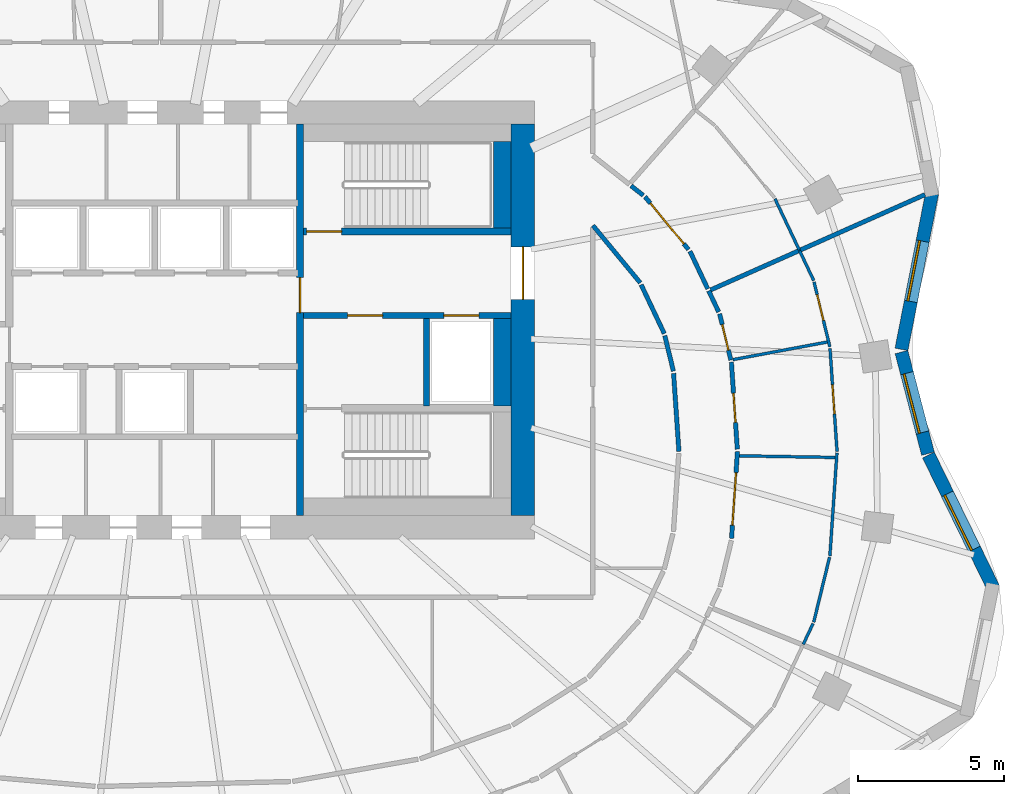
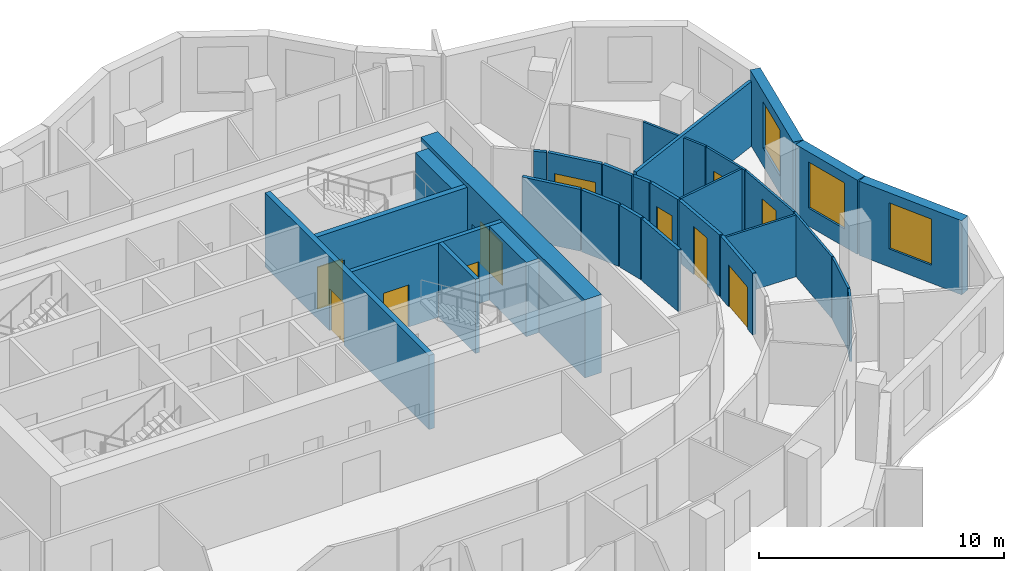
# One storey, part 7 of 11: 31 walls, 11 doors, 3 windows, 14 openings.
"""IFC4 building model written with IfcOpenShell, lengths in metres."""

from ifc_helpers import new_model, si_unit, direction, frame, frame_2d, origin, place, context, subcontext, project, spatial, rectangle, extrude, material, layer, layer_set, type_object, element, fill, save


model = new_model("IFC4")

# Units and contexts
model_context = context("Model", 3, precision=1e-05, world=origin(), true_north=direction((0.0, 1.0)))
body_context = subcontext(model_context, "Body", "Model", "MODEL_VIEW")
ifc_project = project(units=[si_unit("LENGTHUNIT", "METRE"), si_unit("AREAUNIT", "SQUARE_METRE"), si_unit("VOLUMEUNIT", "CUBIC_METRE"), si_unit("PLANEANGLEUNIT", "RADIAN"), si_unit("MASSUNIT", "GRAM", prefix="KILO")], contexts=[model_context])

# Site, building, storey
site_placement = place(None, origin())
site = spatial("IfcSite", under=ifc_project, at=site_placement, CompositionType="ELEMENT")
building_placement = place(site_placement, origin())
building = spatial("IfcBuilding", under=site, at=building_placement, Name="Rubra Terraces Tower", CompositionType="ELEMENT")
storey_placement = place(building_placement, frame((0.0, 0.0, 177.89990234375)))
storey = spatial("IfcBuildingStorey", under=building, at=storey_placement, Name="L43", CompositionType="ELEMENT", Elevation=177.89990234375)

# Wall, opening, window
ifc_material_1 = material(Name="Brick masonry red-brown", Category="masonry")
ifc_layer_1 = layer(ifc_material_1, 0.449951171875)
ifc_layer_set_1 = layer_set([ifc_layer_1], Name="Brick masonry red-brown")
wall_type_1 = type_object("IfcWallType", Name="Brick facade wall 450", PredefinedType="SOLIDWALL", material=ifc_layer_set_1)
wall_1_placement = place(storey_placement, frame((26.469482421875, -0.0791015625, 0.0), z_axis=(0.0, 0.0, 1.0), x_axis=(-0.252446779859, 0.967610780913, 0.0)))
wall_1 = element("IfcWall", 1, at=wall_1_placement, inside=storey, type_object=wall_type_1, Name="Facade wall L43 bay 1", PredefinedType="SOLIDWALL", context=body_context, shape_type="SweptSolid", body=[
    extrude(rectangle(XDim=3.5947265625, YDim=0.449951171875, at=frame_2d((1.79736328125, 0.0))), origin(), (0.0, 0.0, 1.0), 3.7001953125),
])
opening_1_placement = place(wall_1_placement, frame((0.747314453125, 0.0, 0.89990234375)))
opening_1 = element("IfcOpeningElement", 2, at=opening_1_placement, cuts=wall_1, Name="Opening W1B", PredefinedType="OPENING", context=body_context, shape_type="SweptSolid", body=[
    extrude(rectangle(XDim=2.10009765625, YDim=2.300048828125, at=frame_2d((1.050048828125, 1.14990234375))), frame((0.0, 0.23486328125, 0.0), z_axis=(0.0, -1.0, 0.0), x_axis=(1.0, 0.0, 0.0)), (0.0, 0.0, 1.0), 0.469970703125),
])
ifc_material_2 = material(Name="Clear glass in aluminium frame", Category="aluminium")
window_type = type_object("IfcWindowType", Name="Fixed deep-set window tall storey 2100 x 2300", PartitioningType="SINGLE_PANEL", PredefinedType="WINDOW", material=ifc_material_2)
window_1_placement = place(opening_1_placement, origin())
window_1 = element("IfcWindow", 3, at=window_1_placement, inside=storey, type_object=window_type, Name="Window L43 bay 1", OverallHeight=2.300048828125, OverallWidth=2.10009765625, PartitioningType="SINGLE_PANEL", PredefinedType="WINDOW", context=body_context, shape_type="SweptSolid", body=[
    extrude(rectangle(XDim=2.10009765625, YDim=2.300048828125, at=frame_2d((1.050048828125, 1.14990234375))), frame((0.0, 0.135009765625, 0.0), z_axis=(0.0, -1.0, 0.0), x_axis=(1.0, 0.0, 0.0)), (0.0, 0.0, 1.0), 0.06005859375),
])
fill(opening_1, window_1)

wall_2_placement = place(storey_placement, frame((25.561279296875, 3.490478515625, 0.0), z_axis=(0.0, 0.0, 1.0), x_axis=(0.192494026297, 0.981298145234, 0.0)))
wall_2 = element("IfcWall", 4, at=wall_2_placement, inside=storey, type_object=wall_type_1, Name="Facade wall L43 bay 2", PredefinedType="SOLIDWALL", context=body_context, shape_type="SweptSolid", body=[
    extrude(rectangle(XDim=5.446044921875, YDim=0.449951171875, at=frame_2d((2.72314453125, 0.0))), origin(), (0.0, 0.0, 1.0), 3.7001953125),
])
opening_2_placement = place(wall_2_placement, frame((1.673095703125, 0.0, 0.89990234375)))
opening_2 = element("IfcOpeningElement", 5, at=opening_2_placement, cuts=wall_2, Name="Opening W1B", PredefinedType="OPENING", context=body_context, shape_type="SweptSolid", body=[
    extrude(rectangle(XDim=2.10009765625, YDim=2.300048828125, at=frame_2d((1.050048828125, 1.14990234375))), frame((0.0, 0.23486328125, 0.0), z_axis=(0.0, -1.0, 0.0), x_axis=(1.0, 0.0, 0.0)), (0.0, 0.0, 1.0), 0.469970703125),
])
window_2_placement = place(opening_2_placement, origin())
window_2 = element("IfcWindow", 6, at=window_2_placement, inside=storey, type_object=window_type, Name="Window L43 bay 2", OverallHeight=2.300048828125, OverallWidth=2.10009765625, PartitioningType="SINGLE_PANEL", PredefinedType="WINDOW", context=body_context, shape_type="SweptSolid", body=[
    extrude(rectangle(XDim=2.10009765625, YDim=2.300048828125, at=frame_2d((1.050048828125, 1.14990234375))), frame((0.0, 0.135009765625, 0.0), z_axis=(0.0, -1.0, 0.0), x_axis=(1.0, 0.0, 0.0)), (0.0, 0.0, 1.0), 0.06005859375),
])
fill(opening_2, window_2)

wall_3_placement = place(storey_placement, frame((28.70703125, -4.672119140625, 0.0), z_axis=(0.0, 0.0, 1.0), x_axis=(-0.439053549989, 0.898460895221, 0.0)))
wall_3 = element("IfcWall", 7, at=wall_3_placement, inside=storey, type_object=wall_type_1, Name="Facade wall L43 bay 40", PredefinedType="SOLIDWALL", context=body_context, shape_type="SweptSolid", body=[
    extrude(rectangle(XDim=5.061767578125, YDim=0.449951171875, at=frame_2d((2.53076171875, 0.0))), origin(), (0.0, 0.0, 1.0), 3.7001953125),
])
opening_3_placement = place(wall_3_placement, frame((1.48095703125, 0.0, 0.89990234375)))
opening_3 = element("IfcOpeningElement", 8, at=opening_3_placement, cuts=wall_3, Name="Opening W1B", PredefinedType="OPENING", context=body_context, shape_type="SweptSolid", body=[
    extrude(rectangle(XDim=2.10009765625, YDim=2.300048828125, at=frame_2d((1.050048828125, 1.14990234375))), frame((0.0, 0.23486328125, 0.0), z_axis=(0.0, -1.0, 0.0), x_axis=(1.0, 0.0, 0.0)), (0.0, 0.0, 1.0), 0.469970703125),
])
window_3_placement = place(opening_3_placement, origin())
window_3 = element("IfcWindow", 9, at=window_3_placement, inside=storey, type_object=window_type, Name="Window L43 bay 40", OverallHeight=2.300048828125, OverallWidth=2.10009765625, PartitioningType="SINGLE_PANEL", PredefinedType="WINDOW", context=body_context, shape_type="SweptSolid", body=[
    extrude(rectangle(XDim=2.10009765625, YDim=2.300048828125, at=frame_2d((1.050048828125, 1.14990234375))), frame((0.0, 0.135009765625, 0.0), z_axis=(0.0, -1.0, 0.0), x_axis=(1.0, 0.0, 0.0)), (0.0, 0.0, 1.0), 0.06005859375),
])
fill(opening_3, window_3)

# Wall, opening, door
ifc_material_3 = material(Name="Concrete C50", Category="concrete")
ifc_layer_2 = layer(ifc_material_3, 0.800048828125)
ifc_layer_set_2 = layer_set([ifc_layer_2], Name="Concrete C50")
wall_type_2 = type_object("IfcWallType", Name="CORE WALL 800 C50", PredefinedType="SHEAR", material=ifc_layer_set_2)
wall_4_placement = place(storey_placement, frame((12.60009765625, -2.199951171875, 0.0), z_axis=(0.0, 0.0, 1.0), x_axis=(0.0, 1.0, 0.0)))
wall_4 = element("IfcWall", 10, at=wall_4_placement, inside=storey, type_object=wall_type_2, Name="CORE WALL E L43", PredefinedType="SHEAR", context=body_context, shape_type="SweptSolid", body=[
    extrude(rectangle(XDim=13.39990234375, YDim=0.800048828125, at=frame_2d((6.699951171875, 0.0))), origin(), (0.0, 0.0, 1.0), 3.900146484375),
])
opening_4_placement = place(wall_4_placement, frame((7.39990234375, 0.0, 0.0)))
opening_4 = element("IfcOpeningElement", 11, at=opening_4_placement, cuts=wall_4, Name="Opening L43.C02", PredefinedType="OPENING", context=body_context, shape_type="SweptSolid", body=[
    extrude(rectangle(XDim=1.800048828125, YDim=2.10009765625, at=frame_2d((0.89990234375, 1.050048828125))), frame((0.0, 0.409912109375, 0.0), z_axis=(0.0, -1.0, 0.0), x_axis=(1.0, 0.0, 0.0)), (0.0, 0.0, 1.0), 0.820068359375),
])
ifc_material_4 = material(Name="Painted steel", Category="steel")
door_type_1 = type_object("IfcDoorType", Name="Fire door 1800x2100 double", OperationType="NOTDEFINED", PredefinedType="DOOR", material=ifc_material_4)
door_1_placement = place(opening_4_placement, origin())
door_1 = element("IfcDoor", 12, at=door_1_placement, inside=storey, type_object=door_type_1, Name="Core entrance door FF2", OperationType="DOUBLE_DOOR_SINGLE_SWING", OverallHeight=2.10009765625, OverallWidth=1.800048828125, PredefinedType="DOOR", context=body_context, shape_type="SweptSolid", body=[
    extrude(rectangle(XDim=1.800048828125, YDim=2.10009765625, at=frame_2d((0.89990234375, 1.050048828125))), frame((0.0, 0.02490234375, 0.0), z_axis=(0.0, -1.0, 0.0), x_axis=(1.0, 0.0, 0.0)), (0.0, 0.0, 1.0), 0.050048828125),
])
fill(opening_4, door_1)

ifc_material_5 = material(Name="Plasterboard on steel stud, mineral wool infill", Category="steel")
ifc_layer_3 = layer(ifc_material_5, 0.14990234375)
ifc_layer_set_3 = layer_set([ifc_layer_3], Name="Plasterboard on steel stud, mineral wool infill")
wall_type_3 = type_object("IfcWallType", Name="CORRIDOR PARTITION 150", PredefinedType="PARTITIONING", material=ifc_layer_set_3)
wall_5_placement = place(storey_placement, frame((19.745361328125, -2.9775390625, 0.0), z_axis=(0.0, 0.0, 1.0), x_axis=(0.068142324, 0.997675610447, 0.0)))
wall_5 = element("IfcWall", 13, at=wall_5_placement, inside=storey, type_object=wall_type_3, Name="PARTITION", PredefinedType="PARTITIONING", context=body_context, shape_type="SweptSolid", body=[
    extrude(rectangle(XDim=2.984375, YDim=0.14990234375, at=frame_2d((1.4921875, 0.0))), origin(), (0.0, 0.0, 1.0), 3.083984375),
])
opening_5_placement = place(wall_5_placement, frame((0.449951171875, 0.0, 0.0)))
opening_5 = element("IfcOpeningElement", 14, at=opening_5_placement, cuts=wall_5, Name="Opening 43-122", PredefinedType="OPENING", context=body_context, shape_type="SweptSolid", body=[
    extrude(rectangle(XDim=1.800048828125, YDim=2.10009765625, at=frame_2d((0.89990234375, 1.050048828125))), frame((0.0, 0.0849609375, 0.0), z_axis=(0.0, -1.0, 0.0), x_axis=(1.0, 0.0, 0.0)), (0.0, 0.0, 1.0), 0.169921875),
])
ifc_material_6 = material(Name="Painted timber door leaf, double", Category="wood")
door_type_2 = type_object("IfcDoorType", Name="ROOM DOUBLE DOOR 1800 X 2100", OperationType="DOUBLE_DOOR_SINGLE_SWING", PredefinedType="DOOR", material=ifc_material_6)
door_2_placement = place(opening_5_placement, origin())
door_2 = element("IfcDoor", 15, at=door_2_placement, inside=storey, type_object=door_type_2, Name="DOOR 43-122", OperationType="DOUBLE_DOOR_SINGLE_SWING", OverallHeight=2.10009765625, OverallWidth=1.800048828125, PredefinedType="DOOR", context=body_context, shape_type="SweptSolid", body=[
    extrude(rectangle(XDim=1.800048828125, YDim=2.10009765625, at=frame_2d((0.89990234375, 1.050048828125))), frame((0.0, 0.02490234375, 0.0), z_axis=(0.0, -1.0, 0.0), x_axis=(1.0, 0.0, 0.0)), (0.0, 0.0, 1.0), 0.050048828125),
])
fill(opening_5, door_2)

wall_6_placement = place(storey_placement, frame((19.943603515625, 0.07470703125, 0.0), z_axis=(0.0, 0.0, 1.0), x_axis=(-0.068136763128, 0.997675990245, 0.0)))
wall_6 = element("IfcWall", 16, at=wall_6_placement, inside=storey, type_object=wall_type_3, Name="PARTITION", PredefinedType="PARTITIONING", context=body_context, shape_type="SweptSolid", body=[
    extrude(rectangle(XDim=2.984619140625, YDim=0.14990234375, at=frame_2d((1.4921875, 0.0))), origin(), (0.0, 0.0, 1.0), 3.083984375),
])
opening_6_placement = place(wall_6_placement, frame((0.9169921875, 0.0, 0.0)))
opening_6 = element("IfcOpeningElement", 17, at=opening_6_placement, cuts=wall_6, Name="Opening 43-123", PredefinedType="OPENING", context=body_context, shape_type="SweptSolid", body=[
    extrude(rectangle(XDim=1.0, YDim=2.39990234375, at=frame_2d((0.5, 1.199951171875))), frame((0.0, 0.0849609375, 0.0), z_axis=(0.0, -1.0, 0.0), x_axis=(1.0, 0.0, 0.0)), (0.0, 0.0, 1.0), 0.169921875),
])
ifc_material_7 = material(Name="Glazed aluminium meeting door leaf", Category="aluminium")
door_type_3 = type_object("IfcDoorType", Name="MEETING ROOM GLAZED DOOR 1000 X 2400", OperationType="SINGLE_SWING_LEFT", PredefinedType="DOOR", material=ifc_material_7)
door_3_placement = place(opening_6_placement, origin())
door_3 = element("IfcDoor", 18, at=door_3_placement, inside=storey, type_object=door_type_3, Name="DOOR 43-123", OperationType="SINGLE_SWING_RIGHT", OverallHeight=2.39990234375, OverallWidth=1.0, PredefinedType="DOOR", context=body_context, shape_type="SweptSolid", body=[
    extrude(rectangle(XDim=1.0, YDim=2.39990234375, at=frame_2d((0.5, 1.199951171875))), frame((0.0, 0.02490234375, 0.0), z_axis=(0.0, -1.0, 0.0), x_axis=(1.0, 0.0, 0.0)), (0.0, 0.0, 1.0), 0.050048828125),
])
fill(opening_6, door_3)

wall_7_placement = place(storey_placement, frame((19.722412109375, 3.125244140625, 0.0), z_axis=(0.0, 0.0, 1.0), x_axis=(-0.236703930685, 0.971581828359, 0.0)))
wall_7 = element("IfcWall", 19, at=wall_7_placement, inside=storey, type_object=wall_type_3, Name="PARTITION", PredefinedType="PARTITIONING", context=body_context, shape_type="SweptSolid", body=[
    extrude(rectangle(XDim=1.62646484375, YDim=0.14990234375, at=frame_2d((0.813232421875, 0.0))), origin(), (0.0, 0.0, 1.0), 3.083984375),
])
opening_7_placement = place(wall_7_placement, frame((0.35009765625, 0.0, 0.0)))
opening_7 = element("IfcOpeningElement", 20, at=opening_7_placement, cuts=wall_7, Name="Opening 43-143", PredefinedType="OPENING", context=body_context, shape_type="SweptSolid", body=[
    extrude(rectangle(XDim=0.89990234375, YDim=2.10009765625, at=frame_2d((0.449951171875, 1.050048828125))), frame((0.0, 0.0849609375, 0.0), z_axis=(0.0, -1.0, 0.0), x_axis=(1.0, 0.0, 0.0)), (0.0, 0.0, 1.0), 0.169921875),
])
ifc_material_8 = material(Name="Painted timber door leaf", Category="wood")
door_type_4 = type_object("IfcDoorType", Name="BATHROOM DOOR 900 X 2100", OperationType="SINGLE_SWING_LEFT", PredefinedType="DOOR", material=ifc_material_8)
door_4_placement = place(opening_7_placement, origin())
door_4 = element("IfcDoor", 21, at=door_4_placement, inside=storey, type_object=door_type_4, Name="DOOR 43-143", OperationType="SINGLE_SWING_RIGHT", OverallHeight=2.10009765625, OverallWidth=0.89990234375, PredefinedType="DOOR", context=body_context, shape_type="SweptSolid", body=[
    extrude(rectangle(XDim=0.89990234375, YDim=2.10009765625, at=frame_2d((0.449951171875, 1.050048828125))), frame((0.0, 0.02490234375, 0.0), z_axis=(0.0, -1.0, 0.0), x_axis=(1.0, 0.0, 0.0)), (0.0, 0.0, 1.0), 0.050048828125),
])
fill(opening_7, door_4)

# Walls
wall_8_placement = place(storey_placement, frame((19.305419921875, 4.7734375, 0.0), z_axis=(0.0, 0.0, 1.0), x_axis=(-0.428296443676, 0.90363828844, 0.0)))
element("IfcWall", 22, at=wall_8_placement, inside=storey, type_object=wall_type_3, Name="PARTITION", PredefinedType="PARTITIONING", context=body_context, shape_type="SweptSolid", body=[
    extrude(rectangle(XDim=0.799072265625, YDim=0.14990234375, at=frame_2d((0.3994140625, 0.0))), origin(), (0.0, 0.0, 1.0), 3.083984375),
])
wall_9_placement = place(storey_placement, frame((18.93115234375, 5.5634765625, 0.0), z_axis=(0.0, 0.0, 1.0), x_axis=(-0.428204145682, 0.903682029046, 0.0)))
element("IfcWall", 23, at=wall_9_placement, inside=storey, type_object=wall_type_3, Name="PARTITION", PredefinedType="PARTITIONING", context=body_context, shape_type="SweptSolid", body=[
    extrude(rectangle(XDim=1.42529296875, YDim=0.14990234375, at=frame_2d((0.712646484375, 0.0))), origin(), (0.0, 0.0, 1.0), 3.083984375),
])

# Wall, opening, door
wall_10_placement = place(storey_placement, frame((18.273193359375, 6.9091796875, 0.0), z_axis=(0.0, 0.0, 1.0), x_axis=(-0.63653648943, 0.771246586783, 0.0)))
wall_10 = element("IfcWall", 24, at=wall_10_placement, inside=storey, type_object=wall_type_3, Name="PARTITION", PredefinedType="PARTITIONING", context=body_context, shape_type="SweptSolid", body=[
    extrude(rectangle(XDim=2.341552734375, YDim=0.14990234375, at=frame_2d((1.1708984375, 0.0))), origin(), (0.0, 0.0, 1.0), 3.083984375),
])
opening_8_placement = place(wall_10_placement, frame((0.25, 0.0, 0.0)))
opening_8 = element("IfcOpeningElement", 25, at=opening_8_placement, cuts=wall_10, Name="Opening 43-125", PredefinedType="OPENING", context=body_context, shape_type="SweptSolid", body=[
    extrude(rectangle(XDim=1.800048828125, YDim=2.10009765625, at=frame_2d((0.89990234375, 1.050048828125))), frame((0.0, 0.0849609375, 0.0), z_axis=(0.0, -1.0, 0.0), x_axis=(1.0, 0.0, 0.0)), (0.0, 0.0, 1.0), 0.169921875),
])
door_5_placement = place(opening_8_placement, origin())
door_5 = element("IfcDoor", 26, at=door_5_placement, inside=storey, type_object=door_type_2, Name="DOOR 43-125", OperationType="DOUBLE_DOOR_SINGLE_SWING", OverallHeight=2.10009765625, OverallWidth=1.800048828125, PredefinedType="DOOR", context=body_context, shape_type="SweptSolid", body=[
    extrude(rectangle(XDim=1.800048828125, YDim=2.10009765625, at=frame_2d((0.89990234375, 1.050048828125))), frame((0.0, 0.02490234375, 0.0), z_axis=(0.0, -1.0, 0.0), x_axis=(1.0, 0.0, 0.0)), (0.0, 0.0, 1.0), 0.050048828125),
])
fill(opening_8, door_5)

# Walls
wall_11_placement = place(storey_placement, frame((16.723876953125, 8.761474609375, 0.0), z_axis=(0.0, 0.0, 1.0), x_axis=(-0.785093642841, 0.619377083827, 0.0)))
element("IfcWall", 27, at=wall_11_placement, inside=storey, type_object=wall_type_3, Name="PARTITION", PredefinedType="PARTITIONING", context=body_context, shape_type="SweptSolid", body=[
    extrude(rectangle(XDim=0.533203125, YDim=0.14990234375, at=frame_2d((0.2666015625, 0.0))), origin(), (0.0, 0.0, 1.0), 3.083984375),
])
wall_12_placement = place(storey_placement, frame((15.0, 7.73291015625, 0.0), z_axis=(0.0, 0.0, 1.0), x_axis=(0.636601263488, -0.771193121938, 0.0)))
element("IfcWall", 28, at=wall_12_placement, inside=storey, type_object=wall_type_3, Name="PARTITION", PredefinedType="PARTITIONING", context=body_context, shape_type="SweptSolid", body=[
    extrude(rectangle(XDim=2.544921875, YDim=0.14990234375, at=frame_2d((1.2724609375, 0.0))), origin(), (0.0, 0.0, 1.0), 3.083984375),
])
wall_13_placement = place(storey_placement, frame((16.652099609375, 5.702392578125, 0.0), z_axis=(0.0, 0.0, 1.0), x_axis=(0.428126129773, -0.903718992279, 0.0)))
element("IfcWall", 29, at=wall_13_placement, inside=storey, type_object=wall_type_3, Name="PARTITION", PredefinedType="PARTITIONING", context=body_context, shape_type="SweptSolid", body=[
    extrude(rectangle(XDim=1.846435546875, YDim=0.14990234375, at=frame_2d((0.92333984375, 0.0))), origin(), (0.0, 0.0, 1.0), 3.083984375),
])
wall_14_placement = place(storey_placement, frame((17.46044921875, 3.9609375, 0.0), z_axis=(0.0, 0.0, 1.0), x_axis=(0.236655249498, -0.971593687137, 0.0)))
element("IfcWall", 30, at=wall_14_placement, inside=storey, type_object=wall_type_3, Name="PARTITION", PredefinedType="PARTITIONING", context=body_context, shape_type="SweptSolid", body=[
    extrude(rectangle(XDim=1.25146484375, YDim=0.14990234375, at=frame_2d((0.625732421875, 0.0))), origin(), (0.0, 0.0, 1.0), 3.083984375),
])
wall_15_placement = place(storey_placement, frame((17.76171875, 2.67041015625, 0.0), z_axis=(0.0, 0.0, 1.0), x_axis=(0.068135311644, -0.997676089373, 0.0)))
element("IfcWall", 31, at=wall_15_placement, inside=storey, type_object=wall_type_3, Name="PARTITION", PredefinedType="PARTITIONING", context=body_context, shape_type="SweptSolid", body=[
    extrude(rectangle(XDim=2.676513671875, YDim=0.14990234375, at=frame_2d((1.33837890625, 0.0))), origin(), (0.0, 0.0, 1.0), 3.083984375),
])
ifc_material_9 = material(Name="Concrete C40", Category="concrete")
ifc_layer_4 = layer(ifc_material_9, 0.60009765625)
ifc_layer_set_4 = layer_set([ifc_layer_4], Name="Concrete C40")
wall_type_4 = type_object("IfcWallType", Name="Core lining wall 600 concrete", PredefinedType="SOLIDWALL", material=ifc_layer_set_4)
wall_16_placement = place(storey_placement, frame((11.89990234375, 10.60009765625, 0.0), z_axis=(0.0, 0.0, 1.0), x_axis=(0.0, -1.0, 0.0)))
element("IfcWall", 32, at=wall_16_placement, inside=storey, type_object=wall_type_4, Name="CORE LINING WALL L43", PredefinedType="SOLIDWALL", context=body_context, shape_type="SweptSolid", body=[
    extrude(rectangle(XDim=2.9501953125, YDim=0.60009765625, at=frame_2d((1.47509765625, 0.0))), origin(), (0.0, 0.0, 1.0), 3.7001953125),
])
wall_17_placement = place(storey_placement, frame((11.89990234375, 4.550048828125, 0.0), z_axis=(0.0, 0.0, 1.0), x_axis=(0.0, -1.0, 0.0)))
element("IfcWall", 33, at=wall_17_placement, inside=storey, type_object=wall_type_4, Name="CORE LINING WALL L43", PredefinedType="SOLIDWALL", context=body_context, shape_type="SweptSolid", body=[
    extrude(rectangle(XDim=3.0, YDim=0.60009765625, at=frame_2d((1.5, 0.0))), origin(), (0.0, 0.0, 1.0), 3.7001953125),
])

# Wall, openings, doors
ifc_material_10 = material(Name="Concrete C30", Category="concrete")
ifc_layer_5 = layer(ifc_material_10, 0.199951171875)
ifc_layer_set_5 = layer_set([ifc_layer_5], Name="Concrete C30")
wall_type_5 = type_object("IfcWallType", Name="Core wall 200 concrete", PredefinedType="SOLIDWALL", material=ifc_layer_set_5)
wall_18_placement = place(storey_placement, frame((12.199951171875, 4.64990234375, 0.0), z_axis=(0.0, 0.0, 1.0), x_axis=(-1.0, 0.0, 0.0)))
wall_18 = element("IfcWall", 34, at=wall_18_placement, inside=storey, type_object=wall_type_5, Name="STAIR WALL L43", PredefinedType="SOLIDWALL", context=body_context, shape_type="SweptSolid", body=[
    extrude(rectangle(XDim=7.099853515625, YDim=0.199951171875, at=frame_2d((3.5498046875, 0.0))), origin(), (0.0, 0.0, 1.0), 3.7001953125),
])
opening_9_placement = place(wall_18_placement, frame((4.39990234375, 0.0, 0.0)))
opening_9 = element("IfcOpeningElement", 35, at=opening_9_placement, cuts=wall_18, Name="Opening L43.C06", PredefinedType="OPENING", context=body_context, shape_type="SweptSolid", body=[
    extrude(rectangle(XDim=1.199951171875, YDim=2.10009765625, at=frame_2d((0.60009765625, 1.050048828125))), frame((0.0, 0.10986328125, 0.0), z_axis=(0.0, -1.0, 0.0), x_axis=(1.0, 0.0, 0.0)), (0.0, 0.0, 1.0), 0.219970703125),
])
opening_10_placement = place(wall_18_placement, frame((1.10009765625, 0.0, 0.0)))
opening_10 = element("IfcOpeningElement", 36, at=opening_10_placement, cuts=wall_18, Name="Opening L43.C12", PredefinedType="OPENING", context=body_context, shape_type="SweptSolid", body=[
    extrude(rectangle(XDim=1.199951171875, YDim=2.10009765625, at=frame_2d((0.60009765625, 1.050048828125))), frame((0.0, 0.10986328125, 0.0), z_axis=(0.0, -1.0, 0.0), x_axis=(1.0, 0.0, 0.0)), (0.0, 0.0, 1.0), 0.219970703125),
])
door_type_5 = type_object("IfcDoorType", Name="Fire door 1200x2100 single", OperationType="NOTDEFINED", PredefinedType="DOOR", material=ifc_material_4)
door_6_placement = place(opening_9_placement, origin())
door_6 = element("IfcDoor", 37, at=door_6_placement, inside=storey, type_object=door_type_5, Name="Stair vestibule door S4", OperationType="SINGLE_SWING_RIGHT", OverallHeight=2.10009765625, OverallWidth=1.199951171875, PredefinedType="DOOR", context=body_context, shape_type="SweptSolid", body=[
    extrude(rectangle(XDim=1.199951171875, YDim=2.10009765625, at=frame_2d((0.60009765625, 1.050048828125))), frame((0.0, 0.02490234375, 0.0), z_axis=(0.0, -1.0, 0.0), x_axis=(1.0, 0.0, 0.0)), (0.0, 0.0, 1.0), 0.050048828125),
])
fill(opening_9, door_6)
ifc_material_11 = material(Name="Stainless steel", Category="steel")
door_type_6 = type_object("IfcDoorType", Name="Lift landing door 1200x2100", OperationType="NOTDEFINED", PredefinedType="DOOR", material=ifc_material_11)
door_7_placement = place(opening_10_placement, origin())
door_7 = element("IfcDoor", 38, at=door_7_placement, inside=storey, type_object=door_type_6, Name="Landing door FF2", OperationType="SLIDING_TO_RIGHT", OverallHeight=2.10009765625, OverallWidth=1.199951171875, PredefinedType="DOOR", context=body_context, shape_type="SweptSolid", body=[
    extrude(rectangle(XDim=1.199951171875, YDim=2.10009765625, at=frame_2d((0.60009765625, 1.050048828125))), frame((0.0, 0.02490234375, 0.0), z_axis=(0.0, -1.0, 0.0), x_axis=(1.0, 0.0, 0.0)), (0.0, 0.0, 1.0), 0.050048828125),
])
fill(opening_10, door_7)

# Walls
wall_19_placement = place(storey_placement, frame((9.300048828125, 4.550048828125, 0.0), z_axis=(0.0, 0.0, 1.0), x_axis=(0.0, -1.0, 0.0)))
element("IfcWall", 39, at=wall_19_placement, inside=storey, type_object=wall_type_5, Name="STAIR WALL L43", PredefinedType="SOLIDWALL", context=body_context, shape_type="SweptSolid", body=[
    extrude(rectangle(XDim=3.0, YDim=0.199951171875, at=frame_2d((1.5, 0.0))), origin(), (0.0, 0.0, 1.0), 3.7001953125),
])
ifc_material_12 = material(Name="Plasterboard on steel stud", Category="steel")
ifc_layer_6 = layer(ifc_material_12, 0.10009765625)
ifc_layer_set_6 = layer_set([ifc_layer_6], Name="Plasterboard on steel stud")
wall_type_6 = type_object("IfcWallType", Name="ROOM PARTITION 100", PredefinedType="PARTITIONING", material=ifc_layer_set_6)
wall_20_placement = place(storey_placement, frame((22.0791015625, 6.85986328125, 0.0), z_axis=(0.0, 0.0, 1.0), x_axis=(0.428105084675, -0.903728961844, 0.0)))
element("IfcWall", 40, at=wall_20_placement, inside=storey, type_object=wall_type_6, Name="PARTITION", PredefinedType="PARTITIONING", context=body_context, shape_type="SweptSolid", body=[
    extrude(rectangle(XDim=1.1201171875, YDim=0.10009765625, at=frame_2d((0.56005859375, 0.0))), origin(), (0.0, 0.0, 1.0), 3.083984375),
])

# Wall, opening, door
wall_21_placement = place(storey_placement, frame((22.5703125, 5.799072265625, 0.0), z_axis=(0.0, 0.0, 1.0), x_axis=(0.236811358433, -0.971555649727, 0.0)))
wall_21 = element("IfcWall", 41, at=wall_21_placement, inside=storey, type_object=wall_type_6, Name="PARTITION", PredefinedType="PARTITIONING", context=body_context, shape_type="SweptSolid", body=[
    extrude(rectangle(XDim=2.289794921875, YDim=0.10009765625, at=frame_2d((1.14501953125, 0.0))), origin(), (0.0, 0.0, 1.0), 3.083984375),
])
opening_11_placement = place(wall_21_placement, frame((0.449951171875, 0.0, 0.0)))
opening_11 = element("IfcOpeningElement", 42, at=opening_11_placement, cuts=wall_21, Name="Opening 43-124", PredefinedType="OPENING", context=body_context, shape_type="SweptSolid", body=[
    extrude(rectangle(XDim=0.89990234375, YDim=2.10009765625, at=frame_2d((0.449951171875, 1.050048828125))), frame((0.0, 0.06005859375, 0.0), z_axis=(0.0, -1.0, 0.0), x_axis=(1.0, 0.0, 0.0)), (0.0, 0.0, 1.0), 0.1201171875),
])
door_type_7 = type_object("IfcDoorType", Name="ROOM DOOR 900 X 2100", OperationType="SINGLE_SWING_LEFT", PredefinedType="DOOR", material=ifc_material_8)
door_8_placement = place(opening_11_placement, origin())
door_8 = element("IfcDoor", 43, at=door_8_placement, inside=storey, type_object=door_type_7, Name="DOOR 43-124", OperationType="SINGLE_SWING_LEFT", OverallHeight=2.10009765625, OverallWidth=0.89990234375, PredefinedType="DOOR", context=body_context, shape_type="SweptSolid", body=[
    extrude(rectangle(XDim=0.89990234375, YDim=2.10009765625, at=frame_2d((0.449951171875, 1.050048828125))), frame((0.0, 0.02490234375, 0.0), z_axis=(0.0, -1.0, 0.0), x_axis=(1.0, 0.0, 0.0)), (0.0, 0.0, 1.0), 0.050048828125),
])
fill(opening_11, door_8)

wall_22_placement = place(storey_placement, frame((23.115966796875, 3.524658203125, 0.0), z_axis=(0.0, 0.0, 1.0), x_axis=(0.068138009452, -0.997675905125, 0.0)))
wall_22 = element("IfcWall", 44, at=wall_22_placement, inside=storey, type_object=wall_type_6, Name="PARTITION", PredefinedType="PARTITIONING", context=body_context, shape_type="SweptSolid", body=[
    extrude(rectangle(XDim=3.532958984375, YDim=0.10009765625, at=frame_2d((1.7666015625, 0.0))), origin(), (0.0, 0.0, 1.0), 3.083984375),
])
opening_12_placement = place(wall_22_placement, frame((1.25, 0.0, 0.0)))
opening_12 = element("IfcOpeningElement", 45, at=opening_12_placement, cuts=wall_22, Name="Opening 43-142", PredefinedType="OPENING", context=body_context, shape_type="SweptSolid", body=[
    extrude(rectangle(XDim=1.0, YDim=2.39990234375, at=frame_2d((0.5, 1.199951171875))), frame((0.0, 0.06005859375, 0.0), z_axis=(0.0, -1.0, 0.0), x_axis=(1.0, 0.0, 0.0)), (0.0, 0.0, 1.0), 0.1201171875),
])
door_9_placement = place(opening_12_placement, origin())
door_9 = element("IfcDoor", 46, at=door_9_placement, inside=storey, type_object=door_type_3, Name="DOOR 43-142", OperationType="SINGLE_SWING_LEFT", OverallHeight=2.39990234375, OverallWidth=1.0, PredefinedType="DOOR", context=body_context, shape_type="SweptSolid", body=[
    extrude(rectangle(XDim=1.0, YDim=2.39990234375, at=frame_2d((0.5, 1.199951171875))), frame((0.0, 0.02490234375, 0.0), z_axis=(0.0, -1.0, 0.0), x_axis=(1.0, 0.0, 0.0)), (0.0, 0.0, 1.0), 0.050048828125),
])
fill(opening_12, door_9)

# Walls
wall_23_placement = place(storey_placement, frame((23.353515625, -0.0498046875, 0.0), z_axis=(0.0, 0.0, 1.0), x_axis=(-0.06820679361, -0.99767120501, 0.0)))
element("IfcWall", 47, at=wall_23_placement, inside=storey, type_object=wall_type_6, Name="PARTITION", PredefinedType="PARTITIONING", context=body_context, shape_type="SweptSolid", body=[
    extrude(rectangle(XDim=3.532958984375, YDim=0.10009765625, at=frame_2d((1.7666015625, 0.0))), origin(), (0.0, 0.0, 1.0), 3.083984375),
])
wall_24_placement = place(storey_placement, frame((23.100830078125, -3.623046875, 0.0), z_axis=(0.0, 0.0, 1.0), x_axis=(-0.236811358433, -0.971555649727, 0.0)))
element("IfcWall", 48, at=wall_24_placement, inside=storey, type_object=wall_type_6, Name="PARTITION", PredefinedType="PARTITIONING", context=body_context, shape_type="SweptSolid", body=[
    extrude(rectangle(XDim=2.289794921875, YDim=0.10009765625, at=frame_2d((1.14501953125, 0.0))), origin(), (0.0, 0.0, 1.0), 3.083984375),
])
wall_25_placement = place(storey_placement, frame((22.537109375, -5.892822265625, 0.0), z_axis=(0.0, 0.0, 1.0), x_axis=(-0.427993557618, -0.903781784856, 0.0)))
element("IfcWall", 49, at=wall_25_placement, inside=storey, type_object=wall_type_6, Name="PARTITION", PredefinedType="PARTITIONING", context=body_context, shape_type="SweptSolid", body=[
    extrude(rectangle(XDim=0.791748046875, YDim=0.10009765625, at=frame_2d((0.39599609375, 0.0))), origin(), (0.0, 0.0, 1.0), 3.083984375),
])
wall_26_placement = place(storey_placement, frame((20.013427734375, -0.15283203125, 0.0), z_axis=(0.0, 0.0, 1.0), x_axis=(0.999854678593, -0.017047630214, 0.0)))
element("IfcWall", 50, at=wall_26_placement, inside=storey, type_object=wall_type_6, Name="PARTITION", PredefinedType="PARTITIONING", context=body_context, shape_type="SweptSolid", body=[
    extrude(rectangle(XDim=3.279541015625, YDim=0.10009765625, at=frame_2d((1.6396484375, 0.0))), origin(), (0.0, 0.0, 1.0), 3.083984375),
])
wall_27_placement = place(storey_placement, frame((19.796142578125, 3.139892578125, 0.0), z_axis=(0.0, 0.0, 1.0), x_axis=(0.983010938824, 0.183546980778, 0.0)))
element("IfcWall", 51, at=wall_27_placement, inside=storey, type_object=wall_type_6, Name="PARTITION", PredefinedType="PARTITIONING", context=body_context, shape_type="SweptSolid", body=[
    extrude(rectangle(XDim=3.280029296875, YDim=0.10009765625, at=frame_2d((1.64013671875, 0.0))), origin(), (0.0, 0.0, 1.0), 3.083984375),
])
wall_28_placement = place(storey_placement, frame((21.233642578125, 8.644287109375, 0.0), z_axis=(0.0, 0.0, 1.0), x_axis=(0.428183987328, -0.903691580682, 0.0)))
element("IfcWall", 52, at=wall_28_placement, inside=storey, type_object=wall_type_6, Name="PARTITION", PredefinedType="PARTITIONING", context=body_context, shape_type="SweptSolid", body=[
    extrude(rectangle(XDim=1.9345703125, YDim=0.10009765625, at=frame_2d((0.96728515625, 0.0))), origin(), (0.0, 0.0, 1.0), 3.083984375),
])
ifc_layer_7 = layer(ifc_material_12, 0.14990234375)
ifc_layer_set_7 = layer_set([ifc_layer_7], Name="Plasterboard on steel stud")
wall_type_7 = type_object("IfcWallType", Name="ROOM PARTITION 150", PredefinedType="PARTITIONING", material=ifc_layer_set_7)
wall_29_placement = place(storey_placement, frame((26.3671875, 8.789306640625, 0.0), z_axis=(0.0, 0.0, 1.0), x_axis=(-0.913673557468, -0.406448804137, 0.0)))
element("IfcWall", 53, at=wall_29_placement, inside=storey, type_object=wall_type_7, Name="PARTITION", PredefinedType="PARTITIONING", context=body_context, shape_type="SweptSolid", body=[
    extrude(rectangle(XDim=8.028564453125, YDim=0.14990234375, at=frame_2d((4.01416015625, 0.0))), origin(), (0.0, 0.0, 1.0), 3.234130859375),
])

# Wall, opening, door
ifc_layer_8 = layer(ifc_material_9, 0.25)
ifc_layer_set_8 = layer_set([ifc_layer_8], Name="Concrete C40")
wall_type_8 = type_object("IfcWallType", Name="Stair enclosure wall 250 concrete", PredefinedType="SOLIDWALL", material=ifc_layer_set_8)
wall_30_placement = place(storey_placement, frame((12.199951171875, 7.52490234375, 0.0), z_axis=(0.0, 0.0, 1.0), x_axis=(-1.0, 0.0, 0.0)))
wall_30 = element("IfcWall", 54, at=wall_30_placement, inside=storey, type_object=wall_type_8, Name="STAIR WALL L43", PredefinedType="SOLIDWALL", context=body_context, shape_type="SweptSolid", body=[
    extrude(rectangle(XDim=7.099853515625, YDim=0.25, at=frame_2d((3.5498046875, 0.0))), origin(), (0.0, 0.0, 1.0), 3.7001953125),
])
opening_13_placement = place(wall_30_placement, frame((5.800048828125, 0.0, 0.0)))
opening_13 = element("IfcOpeningElement", 55, at=opening_13_placement, cuts=wall_30, Name="Opening L43.C08", PredefinedType="OPENING", context=body_context, shape_type="SweptSolid", body=[
    extrude(rectangle(XDim=1.199951171875, YDim=2.10009765625, at=frame_2d((0.60009765625, 1.050048828125))), frame((0.0, 0.135009765625, 0.0), z_axis=(0.0, -1.0, 0.0), x_axis=(1.0, 0.0, 0.0)), (0.0, 0.0, 1.0), 0.27001953125),
])
door_10_placement = place(opening_13_placement, origin())
door_10 = element("IfcDoor", 56, at=door_10_placement, inside=storey, type_object=door_type_5, Name="Stair door S3", OperationType="SINGLE_SWING_RIGHT", OverallHeight=2.10009765625, OverallWidth=1.199951171875, PredefinedType="DOOR", context=body_context, shape_type="SweptSolid", body=[
    extrude(rectangle(XDim=1.199951171875, YDim=2.10009765625, at=frame_2d((0.60009765625, 1.050048828125))), frame((0.0, 0.02490234375, 0.0), z_axis=(0.0, -1.0, 0.0), x_axis=(1.0, 0.0, 0.0)), (0.0, 0.0, 1.0), 0.050048828125),
])
fill(opening_13, door_10)

wall_31_placement = place(storey_placement, frame((4.97509765625, 11.199951171875, 0.0), z_axis=(0.0, 0.0, 1.0), x_axis=(0.0, -1.0, 0.0)))
wall_31 = element("IfcWall", 57, at=wall_31_placement, inside=storey, type_object=wall_type_8, Name="CORE LOBBY WALL L43", PredefinedType="SOLIDWALL", context=body_context, shape_type="SweptSolid", body=[
    extrude(rectangle(XDim=13.39990234375, YDim=0.25, at=frame_2d((6.699951171875, 0.0))), origin(), (0.0, 0.0, 1.0), 3.7001953125),
])
opening_14_placement = place(wall_31_placement, frame((5.25, 0.0, 0.0)))
opening_14 = element("IfcOpeningElement", 58, at=opening_14_placement, cuts=wall_31, Name="Opening L43.C04", PredefinedType="OPENING", context=body_context, shape_type="SweptSolid", body=[
    extrude(rectangle(XDim=1.199951171875, YDim=2.10009765625, at=frame_2d((0.60009765625, 1.050048828125))), frame((0.0, 0.135009765625, 0.0), z_axis=(0.0, -1.0, 0.0), x_axis=(1.0, 0.0, 0.0)), (0.0, 0.0, 1.0), 0.27001953125),
])
door_11_placement = place(opening_14_placement, origin())
door_11 = element("IfcDoor", 59, at=door_11_placement, inside=storey, type_object=door_type_5, Name="Firefighting lobby door FF2", OperationType="SINGLE_SWING_RIGHT", OverallHeight=2.10009765625, OverallWidth=1.199951171875, PredefinedType="DOOR", context=body_context, shape_type="SweptSolid", body=[
    extrude(rectangle(XDim=1.199951171875, YDim=2.10009765625, at=frame_2d((0.60009765625, 1.050048828125))), frame((0.0, 0.02490234375, 0.0), z_axis=(0.0, -1.0, 0.0), x_axis=(1.0, 0.0, 0.0)), (0.0, 0.0, 1.0), 0.050048828125),
])
fill(opening_14, door_11)

save(model, "model.ifc")
